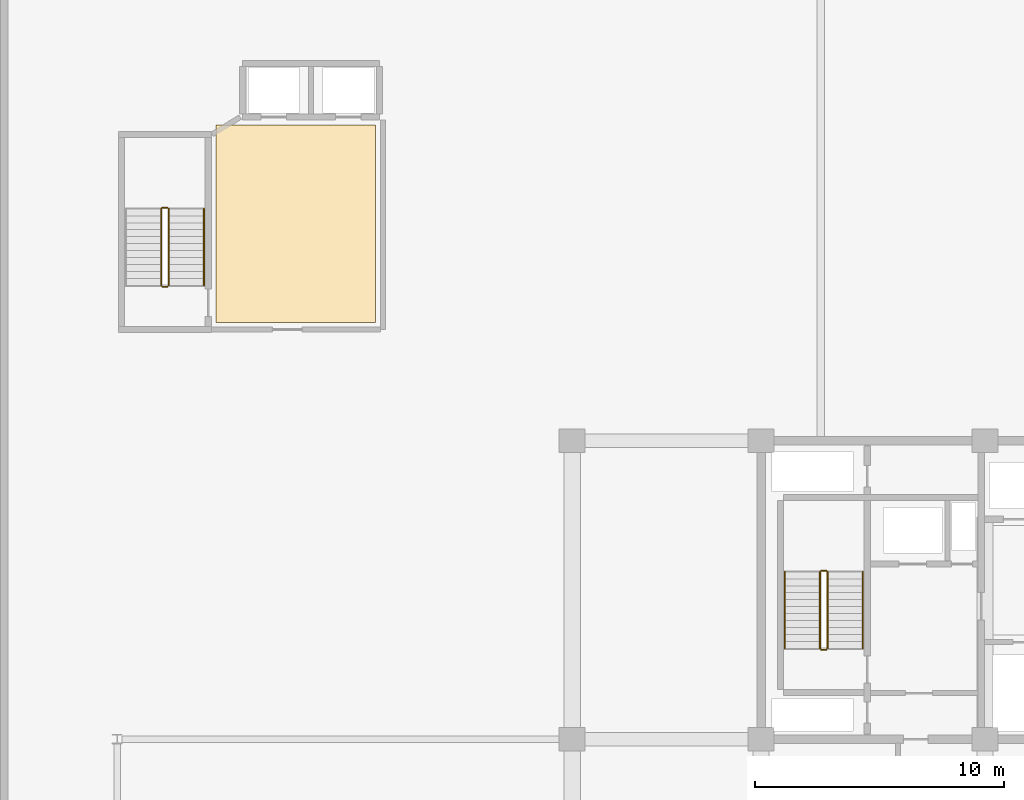
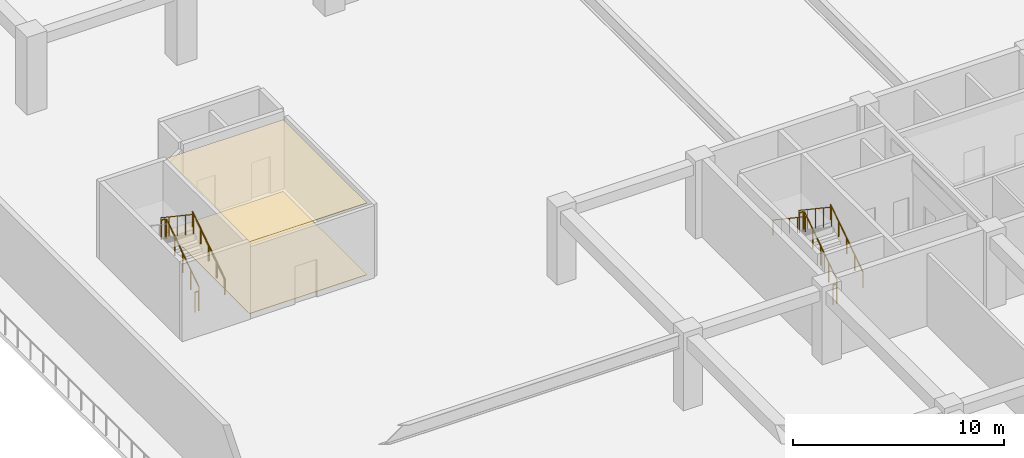
# One storey, part 32 of 40: 11 railings, 2 coverings.
"""IFC4 building model written with IfcOpenShell, lengths in metres."""

from ifc_helpers import new_model, si_unit, direction, frame, origin, origin_2d, place, context, subcontext, project, spatial, polyline, circle, outline, extrude, material, layer, layer_set, type_object, element, save


model = new_model("IFC4")

# Units and contexts
model_context = context("Model", 3, precision=1e-05, world=origin(), true_north=direction((0.0, 1.0)))
body_context = subcontext(model_context, "Body", "Model", "MODEL_VIEW")
ifc_project = project(units=[si_unit("LENGTHUNIT", "METRE"), si_unit("AREAUNIT", "SQUARE_METRE"), si_unit("VOLUMEUNIT", "CUBIC_METRE"), si_unit("PLANEANGLEUNIT", "RADIAN"), si_unit("MASSUNIT", "GRAM", prefix="KILO")], contexts=[model_context])

# Site, building, storey
site_placement = place(None, origin())
site = spatial("IfcSite", under=ifc_project, at=site_placement, CompositionType="ELEMENT")
building_placement = place(site_placement, origin())
building = spatial("IfcBuilding", under=site, at=building_placement, Name="Korimba Cascade Residences", CompositionType="ELEMENT")
storey_placement = place(building_placement, frame((0.0, 0.0, 14.5)))
storey = spatial("IfcBuildingStorey", under=building, at=storey_placement, Name="L03", CompositionType="ELEMENT", Elevation=14.5)

# Coverings
ifc_material_1 = material(Name="Perforated Acoustic Gypsum Ceiling", Category="gypsum")
ifc_layer_1 = layer(ifc_material_1, 0.02490234375)
ifc_layer_set_1 = layer_set([ifc_layer_1], Name="Perforated Acoustic Gypsum Ceiling")
covering_type_1 = type_object("IfcCoveringType", Name="COV-CLG-AC", PredefinedType="CEILING", material=ifc_layer_set_1)
covering_1_placement = place(storey_placement, frame((0.0, 0.0, 4.155029296875)))
element("IfcCovering", 1, at=covering_1_placement, inside=storey, type_object=covering_type_1, Name="L03 Suspended Acoustic Ceiling L03-PLW", PredefinedType="CEILING", context=body_context, shape_type="SweptSolid", body=[
    extrude(outline(polyline([(60.169921875, 35.14990234375), (66.60009765625, 35.14990234375), (66.60009765625, 43.10009765625), (60.169921875, 43.10009765625), (60.169921875, 35.14990234375)])), origin(), (0.0, 0.0, 1.0), 0.02490234375),
])
ifc_material_2 = material(Name="Honed Travertine Stone Flooring", Category="masonry")
ifc_layer_2 = layer(ifc_material_2, 0.02490234375)
ifc_layer_set_2 = layer_set([ifc_layer_2], Name="Honed Travertine Stone Flooring")
covering_type_2 = type_object("IfcCoveringType", Name="COV-FLR-STN", PredefinedType="FLOORING", material=ifc_layer_set_2)
covering_2_placement = place(storey_placement, origin())
element("IfcCovering", 2, at=covering_2_placement, inside=storey, type_object=covering_type_2, Name="L03 Honed Travertine Stone Flooring L03-PLW", PredefinedType="FLOORING", context=body_context, shape_type="SweptSolid", body=[
    extrude(outline(polyline([(60.169921875, 35.14990234375), (66.60009765625, 35.14990234375), (66.60009765625, 43.10009765625), (60.169921875, 43.10009765625), (60.169921875, 35.14990234375)])), origin(), (0.0, 0.0, 1.0), 0.02490234375),
])

# Railings
ifc_material_3 = material(Name="Painted Steel Stairwell Guardrail", Category="steel")
railing_type_1 = type_object("IfcRailingType", Name="RLG-ST-GD1150", PredefinedType="GUARDRAIL", material=ifc_material_3)
railing_1_placement = place(storey_placement, frame((84.77001953125, 22.050048828125, 0.1875)))
element("IfcRailing", 3, at=railing_1_placement, inside=storey, type_object=railing_type_1, Name="L03 ST-E1 stair guard 1", PredefinedType="GUARDRAIL", context=body_context, shape_type="SweptSolid", body=[
    extrude(circle(Radius=0.02392578125, at=origin_2d()), frame((0.0, 0.0, 1.1259765625), z_axis=(0.0, 0.830893310487, 0.556431762742), x_axis=(-1.0, 0.0, 0.0)), (0.0, 0.0, 1.0), 3.70654296875),
    extrude(circle(Radius=0.02099609375, at=origin_2d()), origin(), (0.0, 0.0, 1.0), 1.101806640625),
    extrude(circle(Radius=0.02099609375, at=origin_2d()), frame((0.0, 0.77001953125, 0.515625)), (0.0, 0.0, 1.0), 1.101806640625),
    extrude(circle(Radius=0.02099609375, at=origin_2d()), frame((0.0, 1.5400390625, 1.03125)), (0.0, 0.0, 1.0), 1.101806640625),
    extrude(circle(Radius=0.02099609375, at=origin_2d()), frame((0.0, 2.309814453125, 1.546875)), (0.0, 0.0, 1.0), 1.101806640625),
    extrude(circle(Radius=0.02099609375, at=origin_2d()), frame((0.0, 3.079833984375, 2.0625)), (0.0, 0.0, 1.0), 1.101806640625),
])
railing_2_placement = place(storey_placement, frame((84.719970703125, 25.179931640625, 2.25)))
element("IfcRailing", 4, at=railing_2_placement, inside=storey, type_object=railing_type_1, Name="L03 ST-E1 stair guard 2", PredefinedType="GUARDRAIL", context=body_context, shape_type="SweptSolid", body=[
    extrude(circle(Radius=0.02392578125, at=origin_2d()), frame((0.0, 0.0, 1.1259765625), z_axis=(-1.0, 0.0, 0.0), x_axis=(0.0, -1.0, 0.0)), (0.0, 0.0, 1.0), 0.199951171875),
    extrude(circle(Radius=0.02099609375, at=origin_2d()), origin(), (0.0, 0.0, 1.0), 1.101806640625),
    extrude(circle(Radius=0.02099609375, at=origin_2d()), frame((-0.199951171875, 0.0, 0.0)), (0.0, 0.0, 1.0), 1.101806640625),
])
railing_3_placement = place(storey_placement, frame((84.469970703125, 25.1298828125, 2.4375)))
element("IfcRailing", 5, at=railing_3_placement, inside=storey, type_object=railing_type_1, Name="L03 ST-E1 stair guard 3", PredefinedType="GUARDRAIL", context=body_context, shape_type="SweptSolid", body=[
    extrude(circle(Radius=0.02392578125, at=origin_2d()), frame((0.0, 0.0, 1.1259765625), z_axis=(0.0, -0.830893310487, 0.556431762742), x_axis=(1.0, 0.0, 0.0)), (0.0, 0.0, 1.0), 3.70654296875),
    extrude(circle(Radius=0.02099609375, at=origin_2d()), origin(), (0.0, 0.0, 1.0), 1.101806640625),
    extrude(circle(Radius=0.02099609375, at=origin_2d()), frame((0.0, -0.77001953125, 0.515625)), (0.0, 0.0, 1.0), 1.101806640625),
    extrude(circle(Radius=0.02099609375, at=origin_2d()), frame((0.0, -1.5400390625, 1.03125)), (0.0, 0.0, 1.0), 1.101806640625),
    extrude(circle(Radius=0.02099609375, at=origin_2d()), frame((0.0, -2.309814453125, 1.546875)), (0.0, 0.0, 1.0), 1.101806640625),
    extrude(circle(Radius=0.02099609375, at=origin_2d()), frame((0.0, -3.079833984375, 2.0625)), (0.0, 0.0, 1.0), 1.101806640625),
])
railing_4_placement = place(storey_placement, frame((84.719970703125, 22.0, 0.0)))
element("IfcRailing", 6, at=railing_4_placement, inside=storey, type_object=railing_type_1, Name="L03 ST-E1 stair guard 4", PredefinedType="GUARDRAIL", context=body_context, shape_type="SweptSolid", body=[
    extrude(circle(Radius=0.02392578125, at=origin_2d()), frame((0.0, 0.0, 1.1259765625), z_axis=(-1.0, 0.0, 0.0), x_axis=(0.0, -1.0, 0.0)), (0.0, 0.0, 1.0), 0.199951171875),
    extrude(circle(Radius=0.02099609375, at=origin_2d()), origin(), (0.0, 0.0, 1.0), 1.101806640625),
    extrude(circle(Radius=0.02099609375, at=origin_2d()), frame((-0.199951171875, 0.0, 0.0)), (0.0, 0.0, 1.0), 1.101806640625),
])
railing_5_placement = place(storey_placement, frame((58.27001953125, 36.64990234375, 0.1875)))
element("IfcRailing", 7, at=railing_5_placement, inside=storey, type_object=railing_type_1, Name="L03 ST-P1 stair guard 1", PredefinedType="GUARDRAIL", context=body_context, shape_type="SweptSolid", body=[
    extrude(circle(Radius=0.02392578125, at=origin_2d()), frame((0.0, 0.0, 1.1259765625), z_axis=(0.0, 0.830913701846, 0.55640131208), x_axis=(-1.0, 0.0, 0.0)), (0.0, 0.0, 1.0), 3.706787109375),
    extrude(circle(Radius=0.02099609375, at=origin_2d()), origin(), (0.0, 0.0, 1.0), 1.101806640625),
    extrude(circle(Radius=0.02099609375, at=origin_2d()), frame((0.0, 0.77001953125, 0.515625)), (0.0, 0.0, 1.0), 1.101806640625),
    extrude(circle(Radius=0.02099609375, at=origin_2d()), frame((0.0, 1.5400390625, 1.03125)), (0.0, 0.0, 1.0), 1.101806640625),
    extrude(circle(Radius=0.02099609375, at=origin_2d()), frame((0.0, 2.31005859375, 1.546875)), (0.0, 0.0, 1.0), 1.101806640625),
    extrude(circle(Radius=0.02099609375, at=origin_2d()), frame((0.0, 3.080078125, 2.0625)), (0.0, 0.0, 1.0), 1.101806640625),
])
railing_6_placement = place(storey_placement, frame((58.219970703125, 39.780029296875, 2.25)))
element("IfcRailing", 8, at=railing_6_placement, inside=storey, type_object=railing_type_1, Name="L03 ST-P1 stair guard 2", PredefinedType="GUARDRAIL", context=body_context, shape_type="SweptSolid", body=[
    extrude(circle(Radius=0.02392578125, at=origin_2d()), frame((0.0, 0.0, 1.1259765625), z_axis=(-1.0, 0.0, 0.0), x_axis=(0.0, -1.0, 0.0)), (0.0, 0.0, 1.0), 0.199951171875),
    extrude(circle(Radius=0.02099609375, at=origin_2d()), origin(), (0.0, 0.0, 1.0), 1.101806640625),
    extrude(circle(Radius=0.02099609375, at=origin_2d()), frame((-0.199951171875, 0.0, 0.0)), (0.0, 0.0, 1.0), 1.101806640625),
])
railing_7_placement = place(storey_placement, frame((57.969970703125, 39.72998046875, 2.4375)))
element("IfcRailing", 9, at=railing_7_placement, inside=storey, type_object=railing_type_1, Name="L03 ST-P1 stair guard 3", PredefinedType="GUARDRAIL", context=body_context, shape_type="SweptSolid", body=[
    extrude(circle(Radius=0.02392578125, at=origin_2d()), frame((0.0, 0.0, 1.1259765625), z_axis=(0.0, -0.830913701846, 0.55640131208), x_axis=(1.0, 0.0, 0.0)), (0.0, 0.0, 1.0), 3.706787109375),
    extrude(circle(Radius=0.02099609375, at=origin_2d()), origin(), (0.0, 0.0, 1.0), 1.101806640625),
    extrude(circle(Radius=0.02099609375, at=origin_2d()), frame((0.0, -0.77001953125, 0.515625)), (0.0, 0.0, 1.0), 1.101806640625),
    extrude(circle(Radius=0.02099609375, at=origin_2d()), frame((0.0, -1.5400390625, 1.03125)), (0.0, 0.0, 1.0), 1.101806640625),
    extrude(circle(Radius=0.02099609375, at=origin_2d()), frame((0.0, -2.31005859375, 1.546875)), (0.0, 0.0, 1.0), 1.101806640625),
    extrude(circle(Radius=0.02099609375, at=origin_2d()), frame((0.0, -3.080078125, 2.0625)), (0.0, 0.0, 1.0), 1.101806640625),
])
railing_8_placement = place(storey_placement, frame((58.219970703125, 36.60009765625, 0.0)))
element("IfcRailing", 10, at=railing_8_placement, inside=storey, type_object=railing_type_1, Name="L03 ST-P1 stair guard 4", PredefinedType="GUARDRAIL", context=body_context, shape_type="SweptSolid", body=[
    extrude(circle(Radius=0.02392578125, at=origin_2d()), frame((0.0, 0.0, 1.1259765625), z_axis=(-1.0, 0.0, 0.0), x_axis=(0.0, -1.0, 0.0)), (0.0, 0.0, 1.0), 0.199951171875),
    extrude(circle(Radius=0.02099609375, at=origin_2d()), origin(), (0.0, 0.0, 1.0), 1.101806640625),
    extrude(circle(Radius=0.02099609375, at=origin_2d()), frame((-0.199951171875, 0.0, 0.0)), (0.0, 0.0, 1.0), 1.101806640625),
])
ifc_material_4 = material(Name="Brushed Stainless Steel Handrail", Category="steel")
railing_type_2 = type_object("IfcRailingType", Name="RLG-ST-HR900", PredefinedType="HANDRAIL", material=ifc_material_4)
railing_9_placement = place(storey_placement, frame((86.18994140625, 22.050048828125, 0.379150390625)))
element("IfcRailing", 11, at=railing_9_placement, inside=storey, type_object=railing_type_2, Name="L03 ST-E1 stair handrail 1", PredefinedType="HANDRAIL", context=body_context, shape_type="SweptSolid", body=[
    extrude(circle(Radius=0.02392578125, at=origin_2d()), frame((0.0, 0.0, 0.8759765625), z_axis=(0.0, 0.830893310487, 0.556431762742), x_axis=(-1.0, 0.0, 0.0)), (0.0, 0.0, 1.0), 3.70654296875),
    extrude(circle(Radius=0.02099609375, at=origin_2d()), origin(), (0.0, 0.0, 1.0), 0.851806640625),
    extrude(circle(Radius=0.02099609375, at=origin_2d()), frame((0.0, 0.77001953125, 0.515625)), (0.0, 0.0, 1.0), 0.851806640625),
    extrude(circle(Radius=0.02099609375, at=origin_2d()), frame((0.0, 1.5400390625, 1.03125)), (0.0, 0.0, 1.0), 0.851806640625),
    extrude(circle(Radius=0.02099609375, at=origin_2d()), frame((0.0, 2.309814453125, 1.546875)), (0.0, 0.0, 1.0), 0.851806640625),
    extrude(circle(Radius=0.02099609375, at=origin_2d()), frame((0.0, 3.079833984375, 2.0625)), (0.0, 0.0, 1.0), 0.851806640625),
])
railing_10_placement = place(storey_placement, frame((83.050048828125, 25.1298828125, 2.629150390625)))
element("IfcRailing", 12, at=railing_10_placement, inside=storey, type_object=railing_type_2, Name="L03 ST-E1 stair handrail 2", PredefinedType="HANDRAIL", context=body_context, shape_type="SweptSolid", body=[
    extrude(circle(Radius=0.02392578125, at=origin_2d()), frame((0.0, 0.0, 0.8759765625), z_axis=(0.0, -0.830893310487, 0.556431762742), x_axis=(1.0, 0.0, 0.0)), (0.0, 0.0, 1.0), 3.70654296875),
    extrude(circle(Radius=0.02099609375, at=origin_2d()), origin(), (0.0, 0.0, 1.0), 0.851806640625),
    extrude(circle(Radius=0.02099609375, at=origin_2d()), frame((0.0, -0.77001953125, 0.515625)), (0.0, 0.0, 1.0), 0.851806640625),
    extrude(circle(Radius=0.02099609375, at=origin_2d()), frame((0.0, -1.5400390625, 1.03125)), (0.0, 0.0, 1.0), 0.851806640625),
    extrude(circle(Radius=0.02099609375, at=origin_2d()), frame((0.0, -2.309814453125, 1.546875)), (0.0, 0.0, 1.0), 0.851806640625),
    extrude(circle(Radius=0.02099609375, at=origin_2d()), frame((0.0, -3.079833984375, 2.0625)), (0.0, 0.0, 1.0), 0.851806640625),
])
railing_11_placement = place(storey_placement, frame((59.68994140625, 36.64990234375, 0.379150390625)))
element("IfcRailing", 13, at=railing_11_placement, inside=storey, type_object=railing_type_2, Name="L03 ST-P1 stair handrail 1", PredefinedType="HANDRAIL", context=body_context, shape_type="SweptSolid", body=[
    extrude(circle(Radius=0.02392578125, at=origin_2d()), frame((0.0, 0.0, 0.8759765625), z_axis=(0.0, 0.830913701846, 0.55640131208), x_axis=(-1.0, 0.0, 0.0)), (0.0, 0.0, 1.0), 3.706787109375),
    extrude(circle(Radius=0.02099609375, at=origin_2d()), origin(), (0.0, 0.0, 1.0), 0.851806640625),
    extrude(circle(Radius=0.02099609375, at=origin_2d()), frame((0.0, 0.77001953125, 0.515625)), (0.0, 0.0, 1.0), 0.851806640625),
    extrude(circle(Radius=0.02099609375, at=origin_2d()), frame((0.0, 1.5400390625, 1.03125)), (0.0, 0.0, 1.0), 0.851806640625),
    extrude(circle(Radius=0.02099609375, at=origin_2d()), frame((0.0, 2.31005859375, 1.546875)), (0.0, 0.0, 1.0), 0.851806640625),
    extrude(circle(Radius=0.02099609375, at=origin_2d()), frame((0.0, 3.080078125, 2.0625)), (0.0, 0.0, 1.0), 0.851806640625),
])

save(model, "model.ifc")
